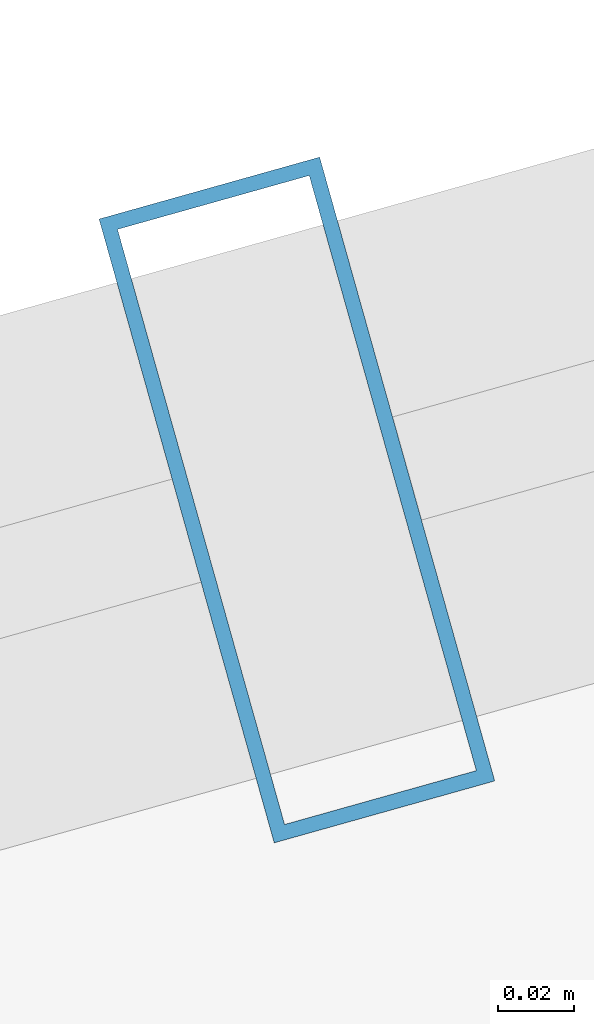
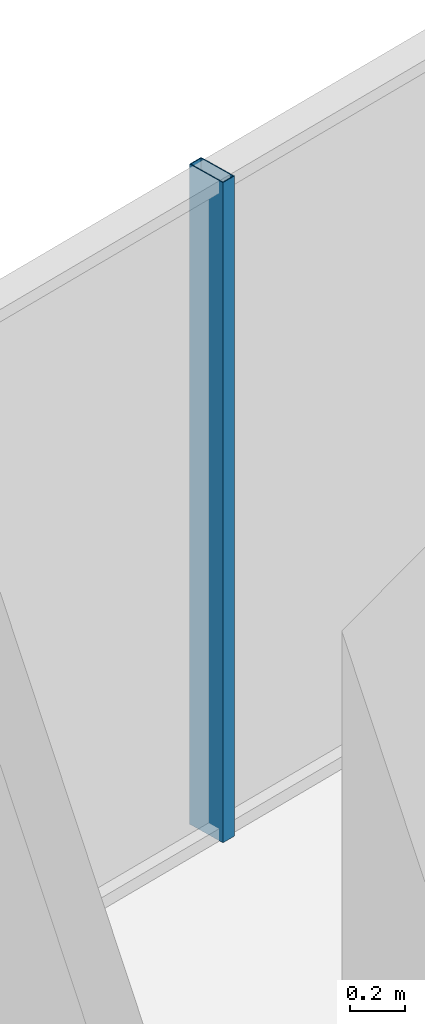
# One storey, part 26 of 39: 1 member, 1 element without a shape of its own.
"""IFC4 building model written with IfcOpenShell, lengths in metres."""

from ifc_helpers import new_model, si_unit, direction, frame, origin, origin_2d, place, context, subcontext, project, spatial, hollow_rectangle, extrude, source, transform, mapped, material, layer, layer_set, material_profile, profile_set, type_object, element, aggregate, save


model = new_model("IFC4")

# Units and contexts
model_context = context("Model", 3, precision=1e-05, world=origin(), true_north=direction((0.0, 1.0)))
body_context = subcontext(model_context, "Body", "Model", "MODEL_VIEW")
ifc_project = project(units=[si_unit("LENGTHUNIT", "METRE"), si_unit("AREAUNIT", "SQUARE_METRE"), si_unit("VOLUMEUNIT", "CUBIC_METRE"), si_unit("PLANEANGLEUNIT", "RADIAN"), si_unit("MASSUNIT", "GRAM", prefix="KILO")], contexts=[model_context])

# Site, building, storey
site_placement = place(None, origin())
site = spatial("IfcSite", under=ifc_project, at=site_placement, CompositionType="ELEMENT")
building_placement = place(site_placement, origin())
building = spatial("IfcBuilding", under=site, at=building_placement, Name="Veraguas Prism Commons", CompositionType="ELEMENT")
storey_placement = place(building_placement, frame((0.0, 0.0, 77.10009765625)))
storey = spatial("IfcBuildingStorey", under=building, at=storey_placement, Name="L21", CompositionType="ELEMENT", Elevation=77.10009765625)

# Curtain wall, member
ifc_material = material(Name="Anodised aluminium EN AW-6063 T6", Category="aluminium")
ifc_layer = layer(ifc_material, 0.169921875, Name="Unitised Flush Curtain Wall Zone 1", Category="aluminium")
ifc_layer_set = layer_set([ifc_layer], Name="Anodised aluminium EN AW-6063 T6")
curtain_wall_type = type_object("IfcCurtainWallType", Name="Unitised Flush Curtain Wall Zone 1", PredefinedType="NOTDEFINED", material=ifc_layer_set)
curtain_wall_placement = place(storey_placement, origin())
curtain_wall = element("IfcCurtainWall", 1, at=curtain_wall_placement, inside=storey, type_object=curtain_wall_type, Name="Tower Facade Curtain Wall L21-F2", PredefinedType="NOTDEFINED")
ifc_material_profile = material_profile(ifc_material, hollow_rectangle(XDim=0.06005859375, YDim=0.169921875, WallThickness=0.00390625, at=origin_2d()), Name="AL60X170X4")
ifc_profile_set = profile_set([ifc_material_profile], Name="Anodised aluminium EN AW-6063 T6")
member_type = type_object("IfcMemberType", Name="Curtain Wall Mullion Lower AL 60x170x4", PredefinedType="MULLION", material=ifc_profile_set)
shared_shape = source(origin(), body_context, "Body", "SweptSolid", [
    extrude(hollow_rectangle(XDim=0.06005859375, YDim=0.169921875, WallThickness=0.00390625, at=origin_2d()), origin(), (0.0, 0.0, 1.0), 2.929931640625),
])
member_placement = place(storey_placement, frame((18.382568359375, 44.010986328125, 0.0), z_axis=(0.0, 0.0, 1.0), x_axis=(-0.962785673447, -0.270266067062, 0.0)))
member = element("IfcMember", 2, at=member_placement, type_object=member_type, Name="CW-Z1 Mullion 3", PredefinedType="MULLION", context=body_context, shape_type="MappedRepresentation", body=[
    mapped(shared_shape, transform((0.0, 0.0, 0.0), scale=1.0)),
])
aggregate(curtain_wall, [member])

save(model, "model.ifc")
